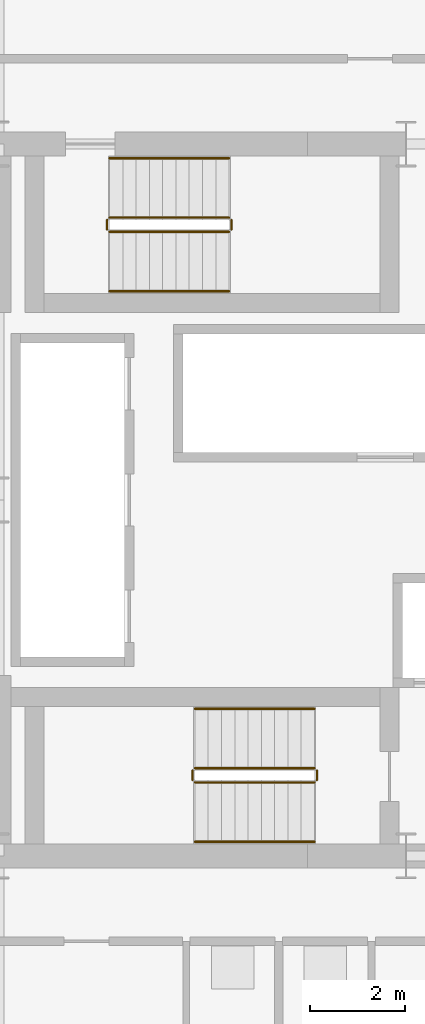
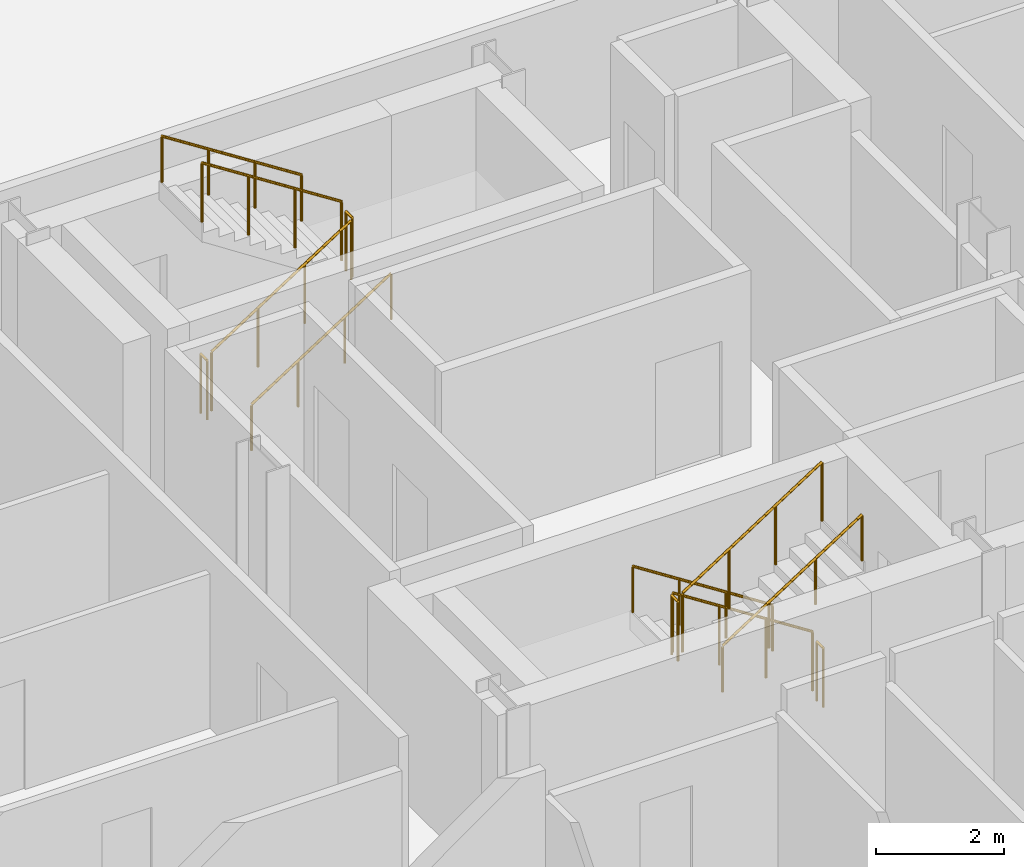
# One storey, part 26 of 27: 12 railings.
"""IFC4 building model written with IfcOpenShell, lengths in metres."""

import ifcopenshell
import ifcopenshell.guid

model = None  # the IFC model being written
_history = None  # IfcOwnerHistory: only IFC2X3 demands one
_inside = {}  # id of a spatial element -> (the spatial element, [elements in it])
_under = {}  # id of a project, library or spatial element -> (it, [spatial elements below it])
_declared = {}  # id of a project -> (the project, [libraries it declares])
_typed = {}  # id of a type object -> (the type object, [elements of that type])
_made_of = {}  # id of a material, layer set ... -> (it, [elements and type objects made of it])


def new_model(schema):
    """Start an empty IFC model of exactly this schema.

    Asked for "IFC4X3", IfcOpenShell would pick the latest addendum, in which some entities
    have other attributes; the version numbers below select the first issue.
    IFC2X3 requires an IfcOwnerHistory on every rooted entity: one is made here for all.
    """
    global model, _history
    if schema == "IFC4X3":
        model = ifcopenshell.file(schema_version=(4, 3, 0, 0))
    else:
        model = ifcopenshell.file(schema=schema)
    _inside.clear()
    _under.clear()
    _declared.clear()
    _typed.clear()
    _made_of.clear()
    _history = None
    if model.schema == "IFC2X3":
        org = make("IfcOrganization", Name="unknown")
        user = make(
            "IfcPersonAndOrganization",
            ThePerson=make("IfcPerson", FamilyName="unknown"),
            TheOrganization=org,
        )
        app = make(
            "IfcApplication",
            ApplicationDeveloper=org,
            Version="unknown",
            ApplicationFullName="unknown",
            ApplicationIdentifier="unknown",
        )
        _history = make(
            "IfcOwnerHistory",
            OwningUser=user,
            OwningApplication=app,
            ChangeAction="ADDED",
            CreationDate=0,
        )
    return model


def make(cls, **values):
    """One entity of the class cls with the attributes given. An attribute that is None is left unset."""
    return model.create_entity(
        cls, **{name: value for name, value in values.items() if value is not None}
    )


def rooted(cls, **values):
    """An entity with a GlobalId (a new one), such as an element, a storey or a relation."""
    return make(cls, GlobalId=ifcopenshell.guid.new(), OwnerHistory=_history, **values)


def si_unit(unit_type, name, prefix=None):
    """IfcSIUnit, for example si_unit("LENGTHUNIT", "METRE", prefix="MILLI")."""
    return make("IfcSIUnit", UnitType=unit_type, Prefix=prefix, Name=name)


def assignment(units):
    """IfcUnitAssignment: the units of a project."""
    return None if units is None else make("IfcUnitAssignment", Units=units)


def point(xyz):
    """IfcCartesianPoint."""
    return None if xyz is None else make("IfcCartesianPoint", Coordinates=xyz)


def direction(xyz):
    """IfcDirection."""
    return None if xyz is None else make("IfcDirection", DirectionRatios=xyz)


def frame(location, z_axis=None, x_axis=None):
    """IfcAxis2Placement3D, a coordinate frame: its origin and axes. An axis left out is left unset."""
    return make(
        "IfcAxis2Placement3D",
        Location=point(location),
        Axis=direction(z_axis),
        RefDirection=direction(x_axis),
    )


def frame_2d(location, x_axis=None):
    """IfcAxis2Placement2D, a coordinate frame in the plane: its origin and x axis."""
    return make(
        "IfcAxis2Placement2D", Location=point(location), RefDirection=direction(x_axis)
    )


def origin():
    """The frame at (0, 0, 0) with its axes left unset."""
    return frame((0.0, 0.0, 0.0))


def origin_2d():
    """The frame at (0, 0) in the plane with its x axis left unset."""
    return frame_2d((0.0, 0.0))


def place(relative_to, where):
    """IfcLocalPlacement: puts the frame where relative to a parent placement (None: the world)."""
    return make(
        "IfcLocalPlacement", PlacementRelTo=relative_to, RelativePlacement=where
    )


def context(
    kind, dimensions, precision=None, world=None, true_north=None, identifier=None
):
    """IfcGeometricRepresentationContext, for example the 3D "Model" context."""
    return make(
        "IfcGeometricRepresentationContext",
        ContextIdentifier=identifier,
        ContextType=kind,
        CoordinateSpaceDimension=dimensions,
        Precision=precision,
        WorldCoordinateSystem=world,
        TrueNorth=true_north,
    )


def subcontext(parent, identifier, kind, view, scale=None):
    """IfcGeometricRepresentationSubContext, for example "Body" below "Model"."""
    return make(
        "IfcGeometricRepresentationSubContext",
        ContextIdentifier=identifier,
        ContextType=kind,
        ParentContext=parent,
        TargetScale=scale,
        TargetView=view,
    )


def project(units=None, contexts=None):
    """IfcProject with its units and contexts."""
    return rooted(
        "IfcProject",
        Name="project",
        RepresentationContexts=contexts,
        UnitsInContext=assignment(units),
    )


def spatial(cls, under=None, at=None, **own):
    """A site, building, storey or space (cls), placed at a placement, below another one or the project."""
    s = rooted(cls, ObjectPlacement=at, **own)
    if under is not None:
        _under.setdefault(under.id(), (under, []))[1].append(s)
    return s


def profile(cls, at=None, kind="AREA", **sizes):
    """A parametric profile (cls). Its sizes go by their IFC names, for example OverallWidth=200.0."""
    return make(cls, ProfileType=kind, Position=at, **sizes)


def circle(**sizes):
    """IfcCircleProfileDef."""
    return profile("IfcCircleProfileDef", **sizes)


def extrude(swept, where, along, depth):
    """IfcExtrudedAreaSolid: the profile swept, set in the frame where, extruded along a direction by depth."""
    return make(
        "IfcExtrudedAreaSolid",
        SweptArea=swept,
        Position=where,
        ExtrudedDirection=direction(along),
        Depth=depth,
    )


def shape(context_of_items, identifier, shape_type, items):
    """IfcShapeRepresentation: the items that make up one representation, for example the "Body"."""
    return make(
        "IfcShapeRepresentation",
        ContextOfItems=context_of_items,
        RepresentationIdentifier=identifier,
        RepresentationType=shape_type,
        Items=items,
    )


def material(Name=None, Category=None):
    """IfcMaterial."""
    return make("IfcMaterial", Name=Name, Category=Category)


def made_of(thing, what):
    """Note that an element or type object is made of a material, layer set ...; save() writes the relation."""
    if what is not None:
        _made_of.setdefault(what.id(), (what, []))[1].append(thing)
    return thing


def type_object(cls, material=None, **own):
    """A type object (cls), such as IfcWallType, which elements share."""
    return made_of(rooted(cls, **own), material)


def element(
    cls,
    number,
    at=None,
    inside=None,
    cuts=None,
    type_object=None,
    material=None,
    context=None,
    identifier="Body",
    shape_type=None,
    held_by="IfcProductDefinitionShape",
    body=None,
    shapes=None,
    **own,
):
    """One element of the class cls, such as IfcWall. Its Tag is "e" and its number.

    at: its placement. inside: the storey or other place that contains it. cuts: it is an
    opening in that element (IfcRelVoidsElement). A single representation is given by context,
    identifier, shape_type and body (its items); several are given by shapes. held_by: the class
    of the entity that holds the representations. save() writes the other relations.
    """
    e = rooted(cls, Tag="e%d" % number, ObjectPlacement=at, **own)
    if body is not None:
        shapes = [shape(context, identifier, shape_type, body)]
    if shapes is not None:
        e.Representation = make(held_by, Representations=shapes)
    if inside is not None:
        _inside.setdefault(inside.id(), (inside, []))[1].append(e)
    if cuts is not None:
        rooted(
            "IfcRelVoidsElement", RelatingBuildingElement=cuts, RelatedOpeningElement=e
        )
    if type_object is not None:
        _typed.setdefault(type_object.id(), (type_object, []))[1].append(e)
    return made_of(e, material)


def aggregate(whole, parts):
    """IfcRelAggregates: a whole, such as a stair, and the parts it consists of."""
    return rooted("IfcRelAggregates", RelatingObject=whole, RelatedObjects=parts)


def save(model, path):
    """Write the relations noted so far, then the file.

    IfcRelAggregates (storeys below a building ...), IfcRelContainedInSpatialStructure (elements
    in a storey), IfcRelDefinesByType, IfcRelAssociatesMaterial and IfcRelDeclares: one each for
    every whole, place, type object, material and project.
    """
    for whole, parts in _under.values():
        aggregate(whole, parts)
    for where, things in _inside.values():
        rooted(
            "IfcRelContainedInSpatialStructure",
            RelatedElements=things,
            RelatingStructure=where,
        )
    for kind, things in _typed.values():
        rooted("IfcRelDefinesByType", RelatedObjects=things, RelatingType=kind)
    for what, things in _made_of.values():
        rooted("IfcRelAssociatesMaterial", RelatedObjects=things, RelatingMaterial=what)
    for by, libraries in _declared.values():
        rooted("IfcRelDeclares", RelatingContext=by, RelatedDefinitions=libraries)
    model.write(path)


model = new_model("IFC4")

# Units and contexts
model_context = context("Model", 3, precision=1e-05, world=origin(), true_north=direction((0.0, 1.0)))
body_context = subcontext(model_context, "Body", "Model", "MODEL_VIEW")
ifc_project = project(units=[si_unit("LENGTHUNIT", "METRE"), si_unit("AREAUNIT", "SQUARE_METRE"), si_unit("VOLUMEUNIT", "CUBIC_METRE"), si_unit("PLANEANGLEUNIT", "RADIAN"), si_unit("MASSUNIT", "GRAM", prefix="KILO")], contexts=[model_context])

# Site, building, storey
site_placement = place(None, origin())
site = spatial("IfcSite", under=ifc_project, at=site_placement, CompositionType="ELEMENT")
building_placement = place(site_placement, origin())
building = spatial("IfcBuilding", under=site, at=building_placement, Name="Barlavira Tower and Art Museum", CompositionType="ELEMENT")
storey_placement = place(building_placement, frame((0.0, 0.0, 72.0)))
storey = spatial("IfcBuildingStorey", under=building, at=storey_placement, Name="L17", CompositionType="ELEMENT", Elevation=72.0)

# Railings
ifc_material = material(Name="Brushed stainless steel", Category="steel")
railing_type_1 = type_object("IfcRailingType", Name="Interior Void and Landing Guard Railing 1150", PredefinedType="GUARDRAIL", material=ifc_material)
railing_1_placement = place(storey_placement, frame((0.14990234375, -5.64990234375, 0.179931640625)))
element("IfcRailing", 1, at=railing_1_placement, inside=storey, type_object=railing_type_1, Name="L17 ST-T1 stair guard 1", PredefinedType="GUARDRAIL", context=body_context, shape_type="SweptSolid", body=[
    extrude(circle(Radius=0.02392578125, at=origin_2d()), frame((0.0, 0.0, 1.1259765625), z_axis=(-0.841162588446, 0.0, 0.540782303519), x_axis=(0.0, -1.0, 0.0)), (0.0, 0.0, 1.0), 2.995849609375),
    extrude(circle(Radius=0.02099609375, at=origin_2d()), origin(), (0.0, 0.0, 1.0), 1.101806640625),
    extrude(circle(Radius=0.02099609375, at=origin_2d()), frame((-0.840087890625, 0.0, 0.5400390625)), (0.0, 0.0, 1.0), 1.101806640625),
    extrude(circle(Radius=0.02099609375, at=origin_2d()), frame((-1.679931640625, 0.0, 1.080078125)), (0.0, 0.0, 1.0), 1.101806640625),
    extrude(circle(Radius=0.02099609375, at=origin_2d()), frame((-2.52001953125, 0.0, 1.6201171875)), (0.0, 0.0, 1.0), 1.101806640625),
])
railing_2_placement = place(storey_placement, frame((-2.419921875, -5.699951171875, 1.800048828125)))
element("IfcRailing", 2, at=railing_2_placement, inside=storey, type_object=railing_type_1, Name="L17 ST-T1 stair guard 2", PredefinedType="GUARDRAIL", context=body_context, shape_type="SweptSolid", body=[
    extrude(circle(Radius=0.02392578125, at=origin_2d()), frame((0.0, 0.0, 1.1259765625), z_axis=(0.0, -1.0, 0.0), x_axis=(1.0, 0.0, 0.0)), (0.0, 0.0, 1.0), 0.199951171875),
    extrude(circle(Radius=0.02099609375, at=origin_2d()), origin(), (0.0, 0.0, 1.0), 1.101806640625),
    extrude(circle(Radius=0.02099609375, at=origin_2d()), frame((0.0, -0.199951171875, 0.0)), (0.0, 0.0, 1.0), 1.101806640625),
])
railing_3_placement = place(storey_placement, frame((-2.3701171875, -5.949951171875, 1.97998046875)))
element("IfcRailing", 3, at=railing_3_placement, inside=storey, type_object=railing_type_1, Name="L17 ST-T1 stair guard 3", PredefinedType="GUARDRAIL", context=body_context, shape_type="SweptSolid", body=[
    extrude(circle(Radius=0.02392578125, at=origin_2d()), frame((0.0, 0.0, 1.1259765625), z_axis=(0.841162588446, 0.0, 0.540782303519), x_axis=(0.0, 1.0, 0.0)), (0.0, 0.0, 1.0), 2.995849609375),
    extrude(circle(Radius=0.02099609375, at=origin_2d()), origin(), (0.0, 0.0, 1.0), 1.101806640625),
    extrude(circle(Radius=0.02099609375, at=origin_2d()), frame((0.840087890625, 0.0, 0.5400390625)), (0.0, 0.0, 1.0), 1.101806640625),
    extrude(circle(Radius=0.02099609375, at=origin_2d()), frame((1.679931640625, 0.0, 1.080078125)), (0.0, 0.0, 1.0), 1.101806640625),
    extrude(circle(Radius=0.02099609375, at=origin_2d()), frame((2.52001953125, 0.0, 1.6201171875)), (0.0, 0.0, 1.0), 1.101806640625),
])
railing_4_placement = place(storey_placement, frame((0.199951171875, -5.699951171875, 0.0)))
element("IfcRailing", 4, at=railing_4_placement, inside=storey, type_object=railing_type_1, Name="L17 ST-T1 stair guard 4", PredefinedType="GUARDRAIL", context=body_context, shape_type="SweptSolid", body=[
    extrude(circle(Radius=0.02392578125, at=origin_2d()), frame((0.0, 0.0, 1.1259765625), z_axis=(0.0, -1.0, 0.0), x_axis=(1.0, 0.0, 0.0)), (0.0, 0.0, 1.0), 0.199951171875),
    extrude(circle(Radius=0.02099609375, at=origin_2d()), origin(), (0.0, 0.0, 1.0), 1.101806640625),
    extrude(circle(Radius=0.02099609375, at=origin_2d()), frame((0.0, -0.199951171875, 0.0)), (0.0, 0.0, 1.0), 1.101806640625),
])
railing_5_placement = place(storey_placement, frame((-4.169921875, 5.64990234375, 0.179931640625)))
element("IfcRailing", 5, at=railing_5_placement, inside=storey, type_object=railing_type_1, Name="L17 ST-T2 stair guard 1", PredefinedType="GUARDRAIL", context=body_context, shape_type="SweptSolid", body=[
    extrude(circle(Radius=0.02392578125, at=origin_2d()), frame((0.0, 0.0, 1.1259765625), z_axis=(0.841162588446, 0.0, 0.540782303519), x_axis=(0.0, 1.0, 0.0)), (0.0, 0.0, 1.0), 2.995849609375),
    extrude(circle(Radius=0.02099609375, at=origin_2d()), origin(), (0.0, 0.0, 1.0), 1.101806640625),
    extrude(circle(Radius=0.02099609375, at=origin_2d()), frame((0.840087890625, 0.0, 0.5400390625)), (0.0, 0.0, 1.0), 1.101806640625),
    extrude(circle(Radius=0.02099609375, at=origin_2d()), frame((1.679931640625, 0.0, 1.080078125)), (0.0, 0.0, 1.0), 1.101806640625),
    extrude(circle(Radius=0.02099609375, at=origin_2d()), frame((2.52001953125, 0.0, 1.6201171875)), (0.0, 0.0, 1.0), 1.101806640625),
])
railing_6_placement = place(storey_placement, frame((-1.60009765625, 5.699951171875, 1.800048828125)))
element("IfcRailing", 6, at=railing_6_placement, inside=storey, type_object=railing_type_1, Name="L17 ST-T2 stair guard 2", PredefinedType="GUARDRAIL", context=body_context, shape_type="SweptSolid", body=[
    extrude(circle(Radius=0.02392578125, at=origin_2d()), frame((0.0, 0.0, 1.1259765625), z_axis=(0.0, 1.0, 0.0), x_axis=(-1.0, 0.0, 0.0)), (0.0, 0.0, 1.0), 0.199951171875),
    extrude(circle(Radius=0.02099609375, at=origin_2d()), origin(), (0.0, 0.0, 1.0), 1.101806640625),
    extrude(circle(Radius=0.02099609375, at=origin_2d()), frame((0.0, 0.199951171875, 0.0)), (0.0, 0.0, 1.0), 1.101806640625),
])
railing_7_placement = place(storey_placement, frame((-1.64990234375, 5.949951171875, 1.97998046875)))
element("IfcRailing", 7, at=railing_7_placement, inside=storey, type_object=railing_type_1, Name="L17 ST-T2 stair guard 3", PredefinedType="GUARDRAIL", context=body_context, shape_type="SweptSolid", body=[
    extrude(circle(Radius=0.02392578125, at=origin_2d()), frame((0.0, 0.0, 1.1259765625), z_axis=(-0.841162588446, 0.0, 0.540782303519), x_axis=(0.0, -1.0, 0.0)), (0.0, 0.0, 1.0), 2.995849609375),
    extrude(circle(Radius=0.02099609375, at=origin_2d()), origin(), (0.0, 0.0, 1.0), 1.101806640625),
    extrude(circle(Radius=0.02099609375, at=origin_2d()), frame((-0.840087890625, 0.0, 0.5400390625)), (0.0, 0.0, 1.0), 1.101806640625),
    extrude(circle(Radius=0.02099609375, at=origin_2d()), frame((-1.679931640625, 0.0, 1.080078125)), (0.0, 0.0, 1.0), 1.101806640625),
    extrude(circle(Radius=0.02099609375, at=origin_2d()), frame((-2.52001953125, 0.0, 1.6201171875)), (0.0, 0.0, 1.0), 1.101806640625),
])
railing_8_placement = place(storey_placement, frame((-4.219970703125, 5.699951171875, 0.0)))
element("IfcRailing", 8, at=railing_8_placement, inside=storey, type_object=railing_type_1, Name="L17 ST-T2 stair guard 4", PredefinedType="GUARDRAIL", context=body_context, shape_type="SweptSolid", body=[
    extrude(circle(Radius=0.02392578125, at=origin_2d()), frame((0.0, 0.0, 1.1259765625), z_axis=(0.0, 1.0, 0.0), x_axis=(-1.0, 0.0, 0.0)), (0.0, 0.0, 1.0), 0.199951171875),
    extrude(circle(Radius=0.02099609375, at=origin_2d()), origin(), (0.0, 0.0, 1.0), 1.101806640625),
    extrude(circle(Radius=0.02099609375, at=origin_2d()), frame((0.0, 0.199951171875, 0.0)), (0.0, 0.0, 1.0), 1.101806640625),
])
railing_type_2 = type_object("IfcRailingType", Name="Stair Pitch Tubular Steel Handrail 920", PredefinedType="HANDRAIL", material=ifc_material)
railing_9_placement = place(storey_placement, frame((0.14990234375, -4.39990234375, 0.179931640625)))
element("IfcRailing", 9, at=railing_9_placement, inside=storey, type_object=railing_type_2, Name="L17 ST-T1 stair handrail 1", PredefinedType="HANDRAIL", context=body_context, shape_type="SweptSolid", body=[
    extrude(circle(Radius=0.02392578125, at=origin_2d()), frame((0.0, 0.0, 0.8759765625), z_axis=(-0.841162588446, 0.0, 0.540782303519), x_axis=(0.0, -1.0, 0.0)), (0.0, 0.0, 1.0), 2.995849609375),
    extrude(circle(Radius=0.02099609375, at=origin_2d()), origin(), (0.0, 0.0, 1.0), 0.851806640625),
    extrude(circle(Radius=0.02099609375, at=origin_2d()), frame((-0.840087890625, 0.0, 0.5400390625)), (0.0, 0.0, 1.0), 0.851806640625),
    extrude(circle(Radius=0.02099609375, at=origin_2d()), frame((-1.679931640625, 0.0, 1.080078125)), (0.0, 0.0, 1.0), 0.851806640625),
    extrude(circle(Radius=0.02099609375, at=origin_2d()), frame((-2.52001953125, 0.0, 1.6201171875)), (0.0, 0.0, 1.0), 0.851806640625),
])
for number, where, name in (
    (10, (-2.3701171875, -7.199951171875, 1.97998046875), "L17 ST-T1 stair handrail 2"),
    (11, (-4.169921875, 4.39990234375, 0.179931640625), "L17 ST-T2 stair handrail 1"),
):
    element("IfcRailing", number, at=place(storey_placement, frame(where)), inside=storey, type_object=railing_type_2, Name=name, PredefinedType="HANDRAIL", context=body_context, shape_type="SweptSolid", body=[
        extrude(circle(Radius=0.02392578125, at=origin_2d()), frame((0.0, 0.0, 0.8759765625), z_axis=(0.841162588446, 0.0, 0.540782303519), x_axis=(0.0, 1.0, 0.0)), (0.0, 0.0, 1.0), 2.995849609375),
        extrude(circle(Radius=0.02099609375, at=origin_2d()), origin(), (0.0, 0.0, 1.0), 0.851806640625),
        extrude(circle(Radius=0.02099609375, at=origin_2d()), frame((0.840087890625, 0.0, 0.5400390625)), (0.0, 0.0, 1.0), 0.851806640625),
        extrude(circle(Radius=0.02099609375, at=origin_2d()), frame((1.679931640625, 0.0, 1.080078125)), (0.0, 0.0, 1.0), 0.851806640625),
        extrude(circle(Radius=0.02099609375, at=origin_2d()), frame((2.52001953125, 0.0, 1.6201171875)), (0.0, 0.0, 1.0), 0.851806640625),
    ])
railing_10_placement = place(storey_placement, frame((-1.64990234375, 7.199951171875, 1.97998046875)))
element("IfcRailing", 12, at=railing_10_placement, inside=storey, type_object=railing_type_2, Name="L17 ST-T2 stair handrail 2", PredefinedType="HANDRAIL", context=body_context, shape_type="SweptSolid", body=[
    extrude(circle(Radius=0.02392578125, at=origin_2d()), frame((0.0, 0.0, 0.8759765625), z_axis=(-0.841162588446, 0.0, 0.540782303519), x_axis=(0.0, -1.0, 0.0)), (0.0, 0.0, 1.0), 2.995849609375),
    extrude(circle(Radius=0.02099609375, at=origin_2d()), origin(), (0.0, 0.0, 1.0), 0.851806640625),
    extrude(circle(Radius=0.02099609375, at=origin_2d()), frame((-0.840087890625, 0.0, 0.5400390625)), (0.0, 0.0, 1.0), 0.851806640625),
    extrude(circle(Radius=0.02099609375, at=origin_2d()), frame((-1.679931640625, 0.0, 1.080078125)), (0.0, 0.0, 1.0), 0.851806640625),
    extrude(circle(Radius=0.02099609375, at=origin_2d()), frame((-2.52001953125, 0.0, 1.6201171875)), (0.0, 0.0, 1.0), 0.851806640625),
])

save(model, "model.ifc")
